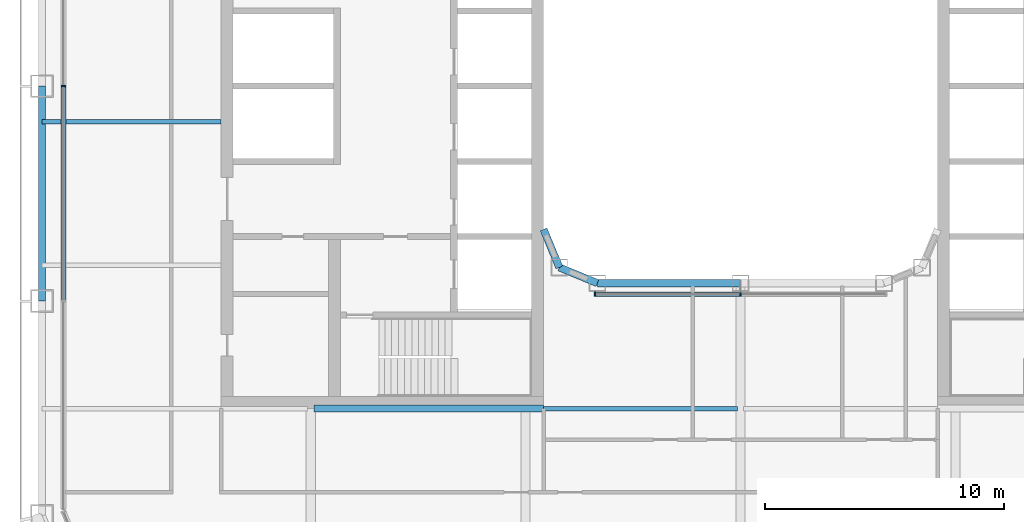
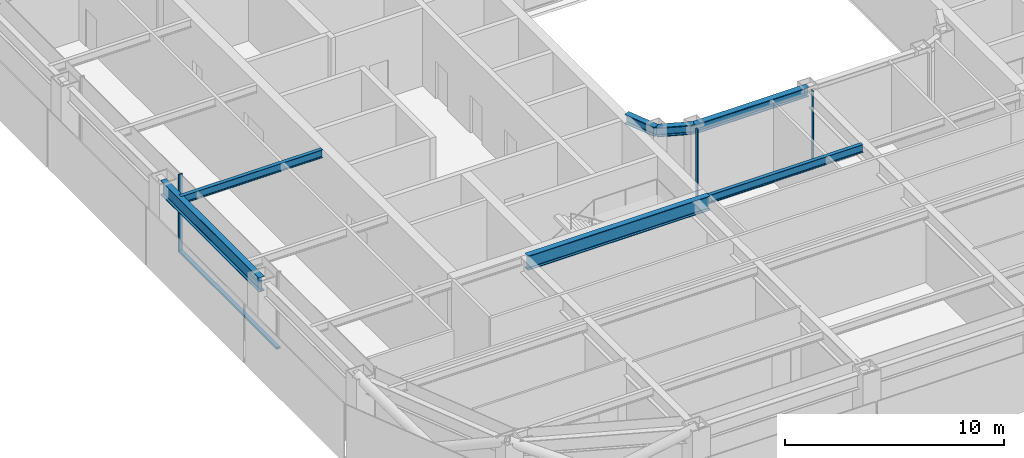
# One storey, part 3 of 24: 7 beams, 5 members, 2 elements without a shape of their own.
"""IFC4 building model written with IfcOpenShell, lengths in metres."""

from ifc_helpers import new_model, si_unit, direction, frame, origin, origin_2d, place, context, subcontext, project, spatial, rectangle, i_section, extrude, material, layer, layer_set, material_profile, profile_set, type_object, element, aggregate, save


model = new_model("IFC4")

# Units and contexts
model_context = context("Model", 3, precision=1e-05, world=origin(), true_north=direction((0.0, 1.0)))
body_context = subcontext(model_context, "Body", "Model", "MODEL_VIEW")
ifc_project = project(units=[si_unit("LENGTHUNIT", "METRE"), si_unit("AREAUNIT", "SQUARE_METRE"), si_unit("VOLUMEUNIT", "CUBIC_METRE"), si_unit("PLANEANGLEUNIT", "RADIAN"), si_unit("MASSUNIT", "GRAM", prefix="KILO")], contexts=[model_context])

# Site, building, storey
site_placement = place(None, origin())
site = spatial("IfcSite", under=ifc_project, at=site_placement, CompositionType="ELEMENT")
building_placement = place(site_placement, origin())
building = spatial("IfcBuilding", under=site, at=building_placement, Name="Siwar Civic Tower", CompositionType="ELEMENT")
storey_placement = place(building_placement, frame((0.0, 0.0, 113.699951171875)))
storey = spatial("IfcBuildingStorey", under=building, at=storey_placement, Name="L24", CompositionType="ELEMENT", Elevation=113.699951171875)

# Curtain wall, member
ifc_material_1 = material(Name="Aluminium and glass", Category="aluminium")
ifc_layer_1 = layer(ifc_material_1, 0.199951171875)
ifc_layer_set_1 = layer_set([ifc_layer_1], Name="Aluminium and glass")
curtain_wall_type_1 = type_object("IfcCurtainWallType", Name="ENV-CW-B", PredefinedType="NOTDEFINED", material=ifc_layer_set_1)
curtain_wall_1_placement = place(storey_placement, origin())
curtain_wall_1 = element("IfcCurtainWall", 1, at=curtain_wall_1_placement, inside=storey, type_object=curtain_wall_type_1, Name="Curtain wall B W", PredefinedType="NOTDEFINED")
ifc_material_2 = material(Name="Aluminium 6063-T6", Category="aluminium")
ifc_material_profile_1 = material_profile(ifc_material_2, rectangle(XDim=0.199951171875, YDim=0.06494140625, at=origin_2d()), Name="AL 200x65")
ifc_profile_set_1 = profile_set([ifc_material_profile_1], Name="Aluminium 6063-T6")
member_type_1 = type_object("IfcMemberType", Name="ENV-MULLION-B", PredefinedType="MULLION", material=ifc_profile_set_1)
member_1_placement = place(storey_placement, frame((-28.35009765625, 0.0, 0.0), z_axis=(0.0, 0.0, 1.0), x_axis=(1.0, 0.0, 0.0)))
member_1 = element("IfcMember", 2, at=member_1_placement, type_object=member_type_1, Name="Mullion B W 3", PredefinedType="MULLION", context=body_context, shape_type="SweptSolid", body=[
    extrude(rectangle(XDim=0.199951171875, YDim=0.06494140625, at=origin_2d()), origin(), (0.0, 0.0, 1.0), 4.35009765625),
])

# Curtain wall, members
ifc_material_3 = material(Name="Aluminium and glass", Category="aluminium")
ifc_layer_2 = layer(ifc_material_3, 0.179931640625)
ifc_layer_set_2 = layer_set([ifc_layer_2], Name="Aluminium and glass")
curtain_wall_type_2 = type_object("IfcCurtainWallType", Name="ENV-CW-W", PredefinedType="NOTDEFINED", material=ifc_layer_set_2)
curtain_wall_2_placement = place(storey_placement, origin())
curtain_wall_2 = element("IfcCurtainWall", 3, at=curtain_wall_2_placement, inside=storey, type_object=curtain_wall_type_2, Name="Curtain wall W WS", PredefinedType="NOTDEFINED")
ifc_material_4 = material(Name="Aluminium 6063-T6", Category="aluminium")
ifc_material_profile_2 = material_profile(ifc_material_4, rectangle(XDim=0.179931640625, YDim=0.06005859375, at=origin_2d()), Name="AL 180x60")
ifc_profile_set_2 = profile_set([ifc_material_profile_2], Name="Aluminium 6063-T6")
member_type_2 = type_object("IfcMemberType", Name="ENV-MULLION-W", PredefinedType="MULLION", material=ifc_profile_set_2)
member_2_placement = place(storey_placement, frame((-6.091552734375, -8.7099609375, 0.0), z_axis=(0.0, 0.0, 1.0), x_axis=(0.0, 1.0, 0.0)))
member_2 = element("IfcMember", 4, at=member_2_placement, type_object=member_type_2, Name="Mullion W WS 1", PredefinedType="MULLION", context=body_context, shape_type="SweptSolid", body=[
    extrude(rectangle(XDim=0.179931640625, YDim=0.06005859375, at=origin_2d()), origin(), (0.0, 0.0, 1.0), 4.35009765625),
])
member_3_placement = place(storey_placement, frame((0.0, -8.7099609375, 0.0), z_axis=(0.0, 0.0, 1.0), x_axis=(0.0, 1.0, 0.0)))
member_3 = element("IfcMember", 5, at=member_3_placement, type_object=member_type_2, Name="Mullion W WS 2", PredefinedType="MULLION", context=body_context, shape_type="SweptSolid", body=[
    extrude(rectangle(XDim=0.179931640625, YDim=0.06005859375, at=origin_2d()), origin(), (0.0, 0.0, 1.0), 4.35009765625),
])

# Member
ifc_material_5 = material(Name="Aluminium 6063-T6", Category="aluminium")
ifc_material_profile_3 = material_profile(ifc_material_5, rectangle(XDim=0.199951171875, YDim=0.110107421875, at=origin_2d()), Name="AL 200x110")
ifc_profile_set_3 = profile_set([ifc_material_profile_3], Name="Aluminium 6063-T6")
member_type_3 = type_object("IfcMemberType", Name="ENV-TRANSOM-B", PredefinedType="USERDEFINED", material=ifc_profile_set_3)
member_4_placement = place(storey_placement, frame((-28.35009765625, -0.032470703125, 0.054931640625), z_axis=(0.0, -1.0, 0.0), x_axis=(1.0, 0.0, 0.0)))
member_4 = element("IfcMember", 6, at=member_4_placement, type_object=member_type_3, Name="Transom B W 3", ObjectType="TRANSOM", PredefinedType="USERDEFINED", context=body_context, shape_type="SweptSolid", body=[
    extrude(rectangle(XDim=0.199951171875, YDim=0.110107421875, at=origin_2d()), origin(), (0.0, 0.0, 1.0), 8.93505859375),
])

aggregate(curtain_wall_1, [member_1, member_4])

ifc_material_6 = material(Name="Aluminium 6063-T6", Category="aluminium")
ifc_material_profile_4 = material_profile(ifc_material_6, rectangle(XDim=0.179931640625, YDim=0.10009765625, at=origin_2d()), Name="AL 180x100")
ifc_profile_set_4 = profile_set([ifc_material_profile_4], Name="Aluminium 6063-T6")
member_type_4 = type_object("IfcMemberType", Name="ENV-TRANSOM-W", PredefinedType="USERDEFINED", material=ifc_profile_set_4)
member_5_placement = place(storey_placement, frame((-6.0615234375, -8.7099609375, 0.050048828125), z_axis=(1.0, 0.0, 0.0), x_axis=(0.0, 1.0, 0.0)))
member_5 = element("IfcMember", 7, at=member_5_placement, type_object=member_type_4, Name="Transom W WS 1", ObjectType="TRANSOM", PredefinedType="USERDEFINED", context=body_context, shape_type="SweptSolid", body=[
    extrude(rectangle(XDim=0.179931640625, YDim=0.10009765625, at=origin_2d()), origin(), (0.0, 0.0, 1.0), 6.031494140625),
])

aggregate(curtain_wall_2, [member_2, member_3, member_5])

# Beams
ifc_material_7 = material(Name="Steel S355", Category="steel")
ifc_material_profile_5 = material_profile(ifc_material_7, i_section(OverallWidth=0.18994140625, OverallDepth=0.449951171875, WebThickness=0.009521484375, FlangeThickness=0.0146484375, FilletRadius=0.02099609375, at=origin_2d()), Name="IPE450")
ifc_profile_set_5 = profile_set([ifc_material_profile_5], Name="Steel S355")
beam_type_1 = type_object("IfcBeamType", Name="STR-FB-IPE450", PredefinedType="JOIST", material=ifc_profile_set_5)
beam_1_placement = place(storey_placement, frame((-8.25, -13.5, 4.125), z_axis=(1.0, 0.0, 0.0), x_axis=(0.0, 1.0, 0.0)))
element("IfcBeam", 8, at=beam_1_placement, inside=storey, type_object=beam_type_1, Name="L24/bm/F016", PredefinedType="JOIST", context=body_context, shape_type="SweptSolid", body=[
    extrude(i_section(OverallWidth=0.18994140625, OverallDepth=0.449951171875, WebThickness=0.009521484375, FlangeThickness=0.0146484375, FilletRadius=0.02099609375, at=origin_2d()), origin(), (0.0, 0.0, 1.0), 8.1201171875),
])
beam_2_placement = place(storey_placement, frame((-29.25, -1.5, 4.125), z_axis=(1.0, 0.0, 0.0), x_axis=(0.0, 1.0, 0.0)))
element("IfcBeam", 9, at=beam_2_placement, inside=storey, type_object=beam_type_1, Name="L24/bm/F023", PredefinedType="JOIST", context=body_context, shape_type="SweptSolid", body=[
    extrude(i_section(OverallWidth=0.18994140625, OverallDepth=0.449951171875, WebThickness=0.009521484375, FlangeThickness=0.0146484375, FilletRadius=0.02099609375, at=origin_2d()), origin(), (0.0, 0.0, 1.0), 7.5),
])
ifc_material_8 = material(Name="Steel S355", Category="steel")
ifc_material_profile_6 = material_profile(ifc_material_8, i_section(OverallWidth=0.300048828125, OverallDepth=0.800048828125, WebThickness=0.017578125, FlangeThickness=0.032958984375, FilletRadius=0.030029296875, at=origin_2d()), Name="HEB800")
ifc_profile_set_6 = profile_set([ifc_material_profile_6], Name="Steel S355")
beam_type_2 = type_object("IfcBeamType", Name="STR-PG-HEB800", PredefinedType="BEAM", material=ifc_profile_set_6)
beam_3_placement = place(storey_placement, frame((-17.8701171875, -13.5, 3.949951171875), z_axis=(1.0, 0.0, 0.0), x_axis=(0.0, 1.0, 0.0)))
element("IfcBeam", 10, at=beam_3_placement, inside=storey, type_object=beam_type_2, Name="L24/bm/F015", PredefinedType="BEAM", context=body_context, shape_type="SweptSolid", body=[
    extrude(i_section(OverallWidth=0.300048828125, OverallDepth=0.800048828125, WebThickness=0.017578125, FlangeThickness=0.032958984375, FilletRadius=0.030029296875, at=origin_2d()), origin(), (0.0, 0.0, 1.0), 9.6201171875),
])
ifc_material_9 = material(Name="Steel S355", Category="steel")
ifc_material_profile_7 = material_profile(ifc_material_9, i_section(OverallWidth=0.305908203125, OverallDepth=0.52392578125, WebThickness=0.02099609375, FlangeThickness=0.0400390625, FilletRadius=0.027099609375, at=origin_2d()), Name="HEM500")
ifc_profile_set_7 = profile_set([ifc_material_profile_7], Name="Steel S355")
beam_type_3 = type_object("IfcBeamType", Name="STR-RB-HEM500", PredefinedType="BEAM", material=ifc_profile_set_7)
beam_4_placement = place(storey_placement, frame((-7.591064453125, -7.591064453125, 4.088134765625), z_axis=(0.923901072997, -0.382631424892, 0.0), x_axis=(0.382631424892, 0.923901072997, 0.0)))
element("IfcBeam", 11, at=beam_4_placement, inside=storey, type_object=beam_type_3, Name="L24/bm/RS0", PredefinedType="BEAM", context=body_context, shape_type="SweptSolid", body=[
    extrude(i_section(OverallWidth=0.305908203125, OverallDepth=0.52392578125, WebThickness=0.02099609375, FlangeThickness=0.0400390625, FilletRadius=0.027099609375, at=origin_2d()), origin(), (0.0, 0.0, 1.0), 1.72216796875),
])
beam_5_placement = place(storey_placement, frame((-6.0, -8.25, 4.088134765625), z_axis=(1.0, 0.0, 0.0), x_axis=(0.0, 1.0, 0.0)))
element("IfcBeam", 12, at=beam_5_placement, inside=storey, type_object=beam_type_3, Name="L24/bm/RS1", PredefinedType="BEAM", context=body_context, shape_type="SweptSolid", body=[
    extrude(i_section(OverallWidth=0.305908203125, OverallDepth=0.52392578125, WebThickness=0.02099609375, FlangeThickness=0.0400390625, FilletRadius=0.027099609375, at=origin_2d()), origin(), (0.0, 0.0, 1.0), 6.0),
])
beam_6_placement = place(storey_placement, frame((-7.591064453125, -7.591064453125, 4.088134765625), z_axis=(-0.382631424892, 0.923901072997, 0.0), x_axis=(-0.923901072997, -0.382631424892, 0.0)))
element("IfcBeam", 13, at=beam_6_placement, inside=storey, type_object=beam_type_3, Name="L24/bm/RSEW", PredefinedType="BEAM", context=body_context, shape_type="SweptSolid", body=[
    extrude(i_section(OverallWidth=0.305908203125, OverallDepth=0.52392578125, WebThickness=0.02099609375, FlangeThickness=0.0400390625, FilletRadius=0.027099609375, at=origin_2d()), origin(), (0.0, 0.0, 1.0), 1.72216796875),
])
ifc_material_10 = material(Name="Steel S355", Category="steel")
ifc_material_profile_8 = material_profile(ifc_material_10, i_section(OverallWidth=0.300048828125, OverallDepth=0.800048828125, WebThickness=0.017578125, FlangeThickness=0.032958984375, FilletRadius=0.030029296875, at=origin_2d()), Name="HEB800")
ifc_profile_set_8 = profile_set([ifc_material_profile_8], Name="Steel S355")
beam_type_4 = type_object("IfcBeamType", Name="STR-SB-HEB800", PredefinedType="BEAM", material=ifc_profile_set_8)
beam_7_placement = place(storey_placement, frame((-29.25, 0.0, 3.949951171875), z_axis=(0.0, -1.0, 0.0), x_axis=(1.0, 0.0, 0.0)))
element("IfcBeam", 14, at=beam_7_placement, inside=storey, type_object=beam_type_4, Name="L24/bm/SW-2", PredefinedType="BEAM", context=body_context, shape_type="SweptSolid", body=[
    extrude(i_section(OverallWidth=0.300048828125, OverallDepth=0.800048828125, WebThickness=0.017578125, FlangeThickness=0.032958984375, FilletRadius=0.030029296875, at=origin_2d()), origin(), (0.0, 0.0, 1.0), 9.0),
])

save(model, "model.ifc")
